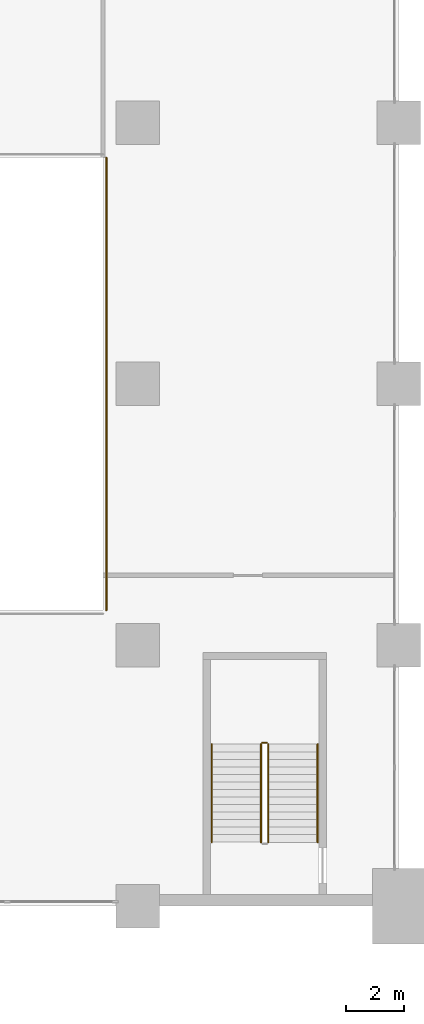
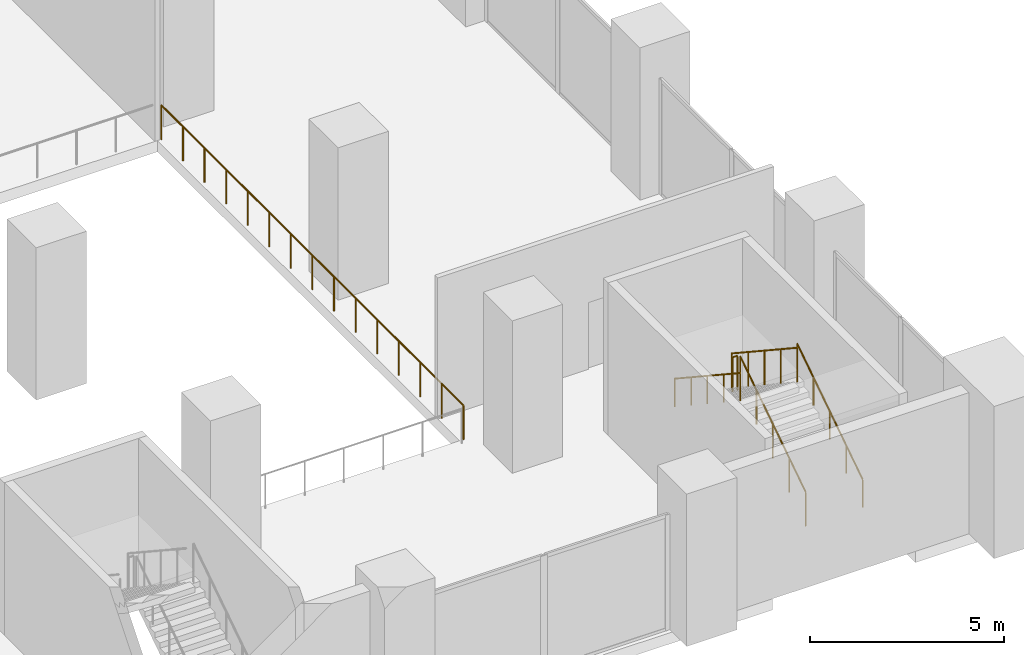
# One storey, part 47 of 49: 6 railings.
"""IFC4 building model written with IfcOpenShell, lengths in metres."""

from ifc_helpers import new_model, si_unit, direction, frame, origin, origin_2d, place, context, subcontext, project, spatial, circle, extrude, material, type_object, element, save


model = new_model("IFC4")

# Units and contexts
model_context = context("Model", 3, precision=1e-05, world=origin(), true_north=direction((0.0, 1.0)))
body_context = subcontext(model_context, "Body", "Model", "MODEL_VIEW")
ifc_project = project(units=[si_unit("LENGTHUNIT", "METRE"), si_unit("AREAUNIT", "SQUARE_METRE"), si_unit("VOLUMEUNIT", "CUBIC_METRE"), si_unit("PLANEANGLEUNIT", "RADIAN"), si_unit("MASSUNIT", "GRAM", prefix="KILO")], contexts=[model_context])

# Site, building, storey
site_placement = place(None, origin())
site = spatial("IfcSite", under=ifc_project, at=site_placement, CompositionType="ELEMENT")
building_placement = place(site_placement, origin())
building = spatial("IfcBuilding", under=site, at=building_placement, Name="Hunhe Ridgeline Campus", CompositionType="ELEMENT")
storey_placement = place(building_placement, frame((0.0, 0.0, 21.60009765625)))
storey = spatial("IfcBuildingStorey", under=building, at=storey_placement, Name="L04", CompositionType="ELEMENT", Elevation=21.60009765625)

# Railings
ifc_material_1 = material(Name="Glass and steel", Category="steel")
railing_type_1 = type_object("IfcRailingType", Name="Atrium glass guard 1100", PredefinedType="GUARDRAIL", material=ifc_material_1)
railing_1_placement = place(storey_placement, frame((79.919921875, 28.199951171875, 0.0)))
element("IfcRailing", 1, at=railing_1_placement, inside=storey, type_object=railing_type_1, Name="L04 atrium guard", PredefinedType="GUARDRAIL", context=body_context, shape_type="SweptSolid", body=[
    extrude(circle(Radius=0.02392578125, at=origin_2d()), frame((0.0, 0.0, 1.076171875), z_axis=(0.0, 1.0, 0.0), x_axis=(-1.0, 0.0, 0.0)), (0.0, 0.0, 1.0), 15.60009765625),
    extrude(circle(Radius=0.02099609375, at=origin_2d()), origin(), (0.0, 0.0, 1.0), 1.052001953125),
    extrude(circle(Radius=0.02099609375, at=origin_2d()), frame((0.0, 1.1142578125, 0.0)), (0.0, 0.0, 1.0), 1.052001953125),
    extrude(circle(Radius=0.02099609375, at=origin_2d()), frame((0.0, 2.228515625, 0.0)), (0.0, 0.0, 1.0), 1.052001953125),
    extrude(circle(Radius=0.02099609375, at=origin_2d()), frame((0.0, 3.3427734375, 0.0)), (0.0, 0.0, 1.0), 1.052001953125),
    extrude(circle(Radius=0.02099609375, at=origin_2d()), frame((0.0, 4.457275390625, 0.0)), (0.0, 0.0, 1.0), 1.052001953125),
    extrude(circle(Radius=0.02099609375, at=origin_2d()), frame((0.0, 5.571533203125, 0.0)), (0.0, 0.0, 1.0), 1.052001953125),
    extrude(circle(Radius=0.02099609375, at=origin_2d()), frame((0.0, 6.685791015625, 0.0)), (0.0, 0.0, 1.0), 1.052001953125),
    extrude(circle(Radius=0.02099609375, at=origin_2d()), frame((0.0, 7.800048828125, 0.0)), (0.0, 0.0, 1.0), 1.052001953125),
    extrude(circle(Radius=0.02099609375, at=origin_2d()), frame((0.0, 8.914306640625, 0.0)), (0.0, 0.0, 1.0), 1.052001953125),
    extrude(circle(Radius=0.02099609375, at=origin_2d()), frame((0.0, 10.028564453125, 0.0)), (0.0, 0.0, 1.0), 1.052001953125),
    extrude(circle(Radius=0.02099609375, at=origin_2d()), frame((0.0, 11.142822265625, 0.0)), (0.0, 0.0, 1.0), 1.052001953125),
    extrude(circle(Radius=0.02099609375, at=origin_2d()), frame((0.0, 12.25732421875, 0.0)), (0.0, 0.0, 1.0), 1.052001953125),
    extrude(circle(Radius=0.02099609375, at=origin_2d()), frame((0.0, 13.37158203125, 0.0)), (0.0, 0.0, 1.0), 1.052001953125),
    extrude(circle(Radius=0.02099609375, at=origin_2d()), frame((0.0, 14.48583984375, 0.0)), (0.0, 0.0, 1.0), 1.052001953125),
    extrude(circle(Radius=0.02099609375, at=origin_2d()), frame((0.0, 15.60009765625, 0.0)), (0.0, 0.0, 1.0), 1.052001953125),
])
ifc_material_2 = material(Name="Steel Q235", Category="steel")
railing_type_2 = type_object("IfcRailingType", Name="Podium stair guard 1100", PredefinedType="GUARDRAIL", material=ifc_material_2)
railing_2_placement = place(storey_placement, frame((85.5, 20.199951171875, 0.17138671875)))
element("IfcRailing", 2, at=railing_2_placement, inside=storey, type_object=railing_type_2, Name="L04 PS3 stair guard 1", PredefinedType="GUARDRAIL", context=body_context, shape_type="SweptSolid", body=[
    extrude(circle(Radius=0.02392578125, at=origin_2d()), frame((0.0, 0.0, 1.076171875), z_axis=(0.0, 0.834878220475, 0.550434698194), x_axis=(-1.0, 0.0, 0.0)), (0.0, 0.0, 1.0), 4.048583984375),
    extrude(circle(Radius=0.02099609375, at=origin_2d()), origin(), (0.0, 0.0, 1.0), 1.052001953125),
    extrude(circle(Radius=0.02099609375, at=origin_2d()), frame((0.0, 0.844970703125, 0.55712890625)), (0.0, 0.0, 1.0), 1.052001953125),
    extrude(circle(Radius=0.02099609375, at=origin_2d()), frame((0.0, 1.68994140625, 1.1142578125)), (0.0, 0.0, 1.0), 1.052001953125),
    extrude(circle(Radius=0.02099609375, at=origin_2d()), frame((0.0, 2.53515625, 1.67138671875)), (0.0, 0.0, 1.0), 1.052001953125),
    extrude(circle(Radius=0.02099609375, at=origin_2d()), frame((0.0, 3.380126953125, 2.228515625)), (0.0, 0.0, 1.0), 1.052001953125),
])
railing_3_placement = place(storey_placement, frame((85.449951171875, 23.6298828125, 2.39990234375)))
element("IfcRailing", 3, at=railing_3_placement, inside=storey, type_object=railing_type_2, Name="L04 PS3 stair guard 2", PredefinedType="GUARDRAIL", context=body_context, shape_type="SweptSolid", body=[
    extrude(circle(Radius=0.02392578125, at=origin_2d()), frame((0.0, 0.0, 1.076171875), z_axis=(-1.0, 0.0, 0.0), x_axis=(0.0, -1.0, 0.0)), (0.0, 0.0, 1.0), 0.14990234375),
    extrude(circle(Radius=0.02099609375, at=origin_2d()), origin(), (0.0, 0.0, 1.0), 1.052001953125),
    extrude(circle(Radius=0.02099609375, at=origin_2d()), frame((-0.14990234375, 0.0, 0.0)), (0.0, 0.0, 1.0), 1.052001953125),
])
railing_4_placement = place(storey_placement, frame((85.25, 23.580078125, 2.5712890625)))
element("IfcRailing", 4, at=railing_4_placement, inside=storey, type_object=railing_type_2, Name="L04 PS3 stair guard 3", PredefinedType="GUARDRAIL", context=body_context, shape_type="SweptSolid", body=[
    extrude(circle(Radius=0.02392578125, at=origin_2d()), frame((0.0, 0.0, 1.076171875), z_axis=(0.0, -0.834878220475, 0.550434698194), x_axis=(1.0, 0.0, 0.0)), (0.0, 0.0, 1.0), 4.048583984375),
    extrude(circle(Radius=0.02099609375, at=origin_2d()), origin(), (0.0, 0.0, 1.0), 1.052001953125),
    extrude(circle(Radius=0.02099609375, at=origin_2d()), frame((0.0, -0.844970703125, 0.55712890625)), (0.0, 0.0, 1.0), 1.052001953125),
    extrude(circle(Radius=0.02099609375, at=origin_2d()), frame((0.0, -1.68994140625, 1.1142578125)), (0.0, 0.0, 1.0), 1.052001953125),
    extrude(circle(Radius=0.02099609375, at=origin_2d()), frame((0.0, -2.53515625, 1.67138671875)), (0.0, 0.0, 1.0), 1.052001953125),
    extrude(circle(Radius=0.02099609375, at=origin_2d()), frame((0.0, -3.380126953125, 2.228515625)), (0.0, 0.0, 1.0), 1.052001953125),
])
railing_type_3 = type_object("IfcRailingType", Name="Podium stair handrail", PredefinedType="HANDRAIL", material=ifc_material_2)
railing_5_placement = place(storey_placement, frame((87.199951171875, 20.199951171875, 0.17138671875)))
element("IfcRailing", 5, at=railing_5_placement, inside=storey, type_object=railing_type_3, Name="L04 PS3 stair handrail 1", PredefinedType="HANDRAIL", context=body_context, shape_type="SweptSolid", body=[
    extrude(circle(Radius=0.02392578125, at=origin_2d()), frame((0.0, 0.0, 0.8759765625), z_axis=(0.0, 0.834878220475, 0.550434698194), x_axis=(-1.0, 0.0, 0.0)), (0.0, 0.0, 1.0), 4.048583984375),
    extrude(circle(Radius=0.02099609375, at=origin_2d()), origin(), (0.0, 0.0, 1.0), 0.851806640625),
    extrude(circle(Radius=0.02099609375, at=origin_2d()), frame((0.0, 0.844970703125, 0.55712890625)), (0.0, 0.0, 1.0), 0.851806640625),
    extrude(circle(Radius=0.02099609375, at=origin_2d()), frame((0.0, 1.68994140625, 1.1142578125)), (0.0, 0.0, 1.0), 0.851806640625),
    extrude(circle(Radius=0.02099609375, at=origin_2d()), frame((0.0, 2.53515625, 1.67138671875)), (0.0, 0.0, 1.0), 0.851806640625),
    extrude(circle(Radius=0.02099609375, at=origin_2d()), frame((0.0, 3.380126953125, 2.228515625)), (0.0, 0.0, 1.0), 0.851806640625),
])
railing_6_placement = place(storey_placement, frame((83.550048828125, 23.580078125, 2.5712890625)))
element("IfcRailing", 6, at=railing_6_placement, inside=storey, type_object=railing_type_3, Name="L04 PS3 stair handrail 2", PredefinedType="HANDRAIL", context=body_context, shape_type="SweptSolid", body=[
    extrude(circle(Radius=0.02392578125, at=origin_2d()), frame((0.0, 0.0, 0.8759765625), z_axis=(0.0, -0.834878220475, 0.550434698194), x_axis=(1.0, 0.0, 0.0)), (0.0, 0.0, 1.0), 4.048583984375),
    extrude(circle(Radius=0.02099609375, at=origin_2d()), origin(), (0.0, 0.0, 1.0), 0.851806640625),
    extrude(circle(Radius=0.02099609375, at=origin_2d()), frame((0.0, -0.844970703125, 0.55712890625)), (0.0, 0.0, 1.0), 0.851806640625),
    extrude(circle(Radius=0.02099609375, at=origin_2d()), frame((0.0, -1.68994140625, 1.1142578125)), (0.0, 0.0, 1.0), 0.851806640625),
    extrude(circle(Radius=0.02099609375, at=origin_2d()), frame((0.0, -2.53515625, 1.67138671875)), (0.0, 0.0, 1.0), 0.851806640625),
    extrude(circle(Radius=0.02099609375, at=origin_2d()), frame((0.0, -3.380126953125, 2.228515625)), (0.0, 0.0, 1.0), 0.851806640625),
])

save(model, "model.ifc")
